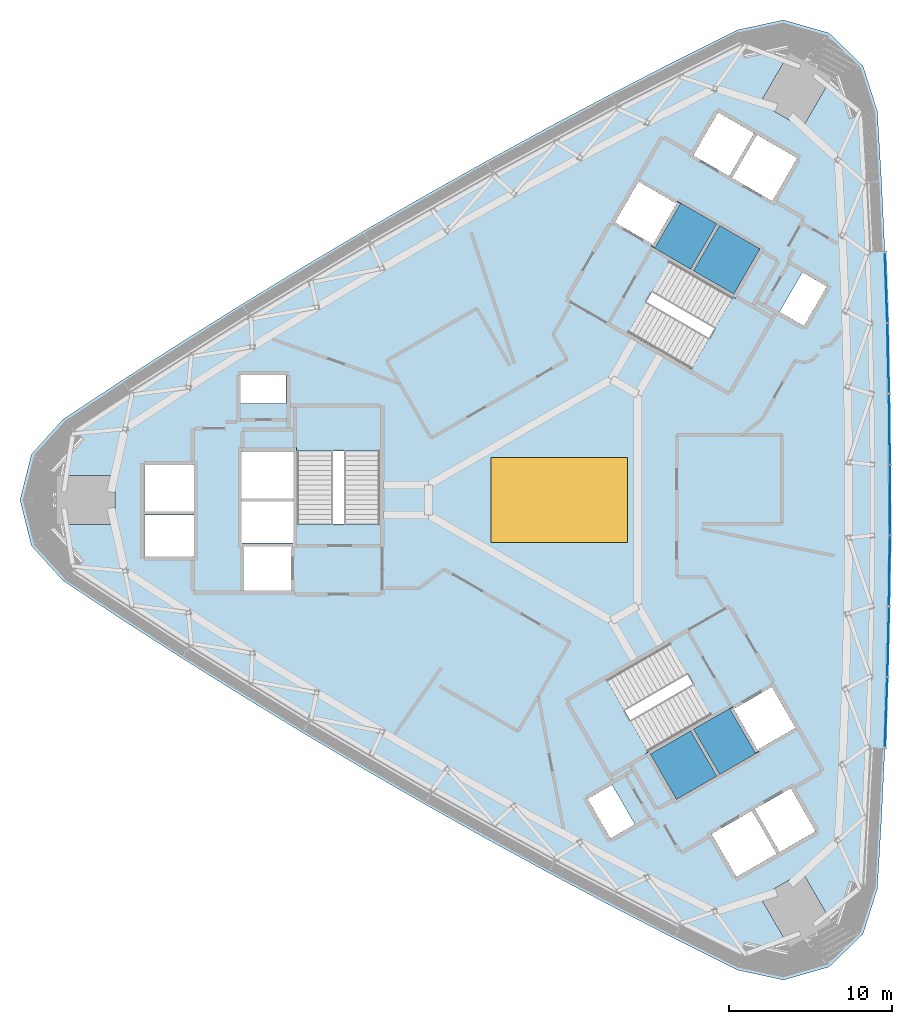
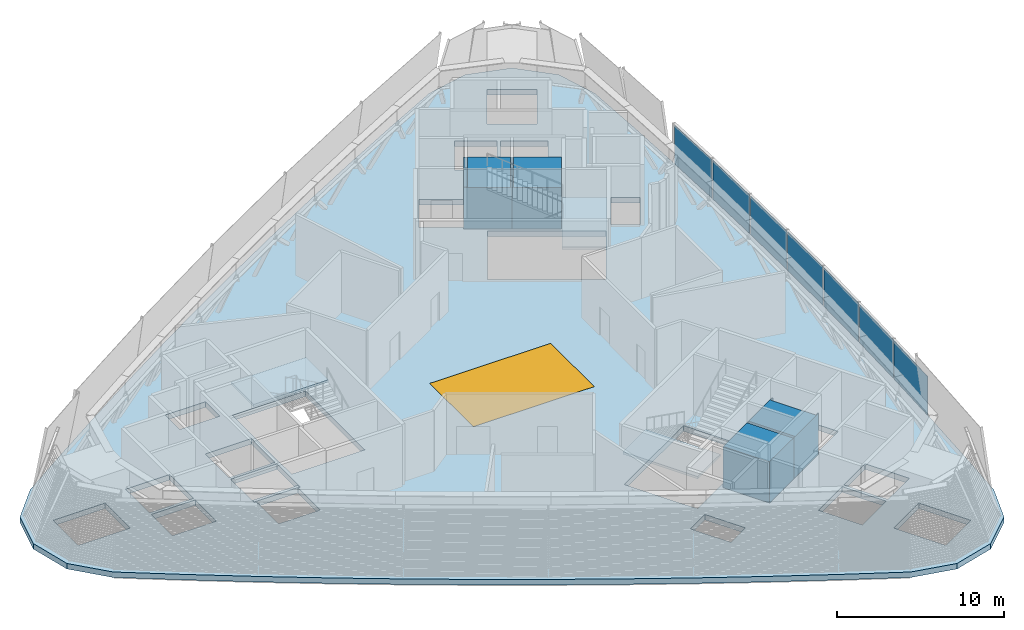
# One storey, part 5 of 18: 8 slabs, 7 plates, 1 window, 1 opening, 4 elements without a shape of their own.
"""IFC4 building model written with IfcOpenShell, lengths in metres."""

import ifcopenshell
import ifcopenshell.guid

model = None  # the IFC model being written
_history = None  # IfcOwnerHistory: only IFC2X3 demands one
_inside = {}  # id of a spatial element -> (the spatial element, [elements in it])
_under = {}  # id of a project, library or spatial element -> (it, [spatial elements below it])
_declared = {}  # id of a project -> (the project, [libraries it declares])
_typed = {}  # id of a type object -> (the type object, [elements of that type])
_made_of = {}  # id of a material, layer set ... -> (it, [elements and type objects made of it])


def new_model(schema):
    """Start an empty IFC model of exactly this schema.

    Asked for "IFC4X3", IfcOpenShell would pick the latest addendum, in which some entities
    have other attributes; the version numbers below select the first issue.
    IFC2X3 requires an IfcOwnerHistory on every rooted entity: one is made here for all.
    """
    global model, _history
    if schema == "IFC4X3":
        model = ifcopenshell.file(schema_version=(4, 3, 0, 0))
    else:
        model = ifcopenshell.file(schema=schema)
    _inside.clear()
    _under.clear()
    _declared.clear()
    _typed.clear()
    _made_of.clear()
    _history = None
    if model.schema == "IFC2X3":
        org = make("IfcOrganization", Name="unknown")
        user = make(
            "IfcPersonAndOrganization",
            ThePerson=make("IfcPerson", FamilyName="unknown"),
            TheOrganization=org,
        )
        app = make(
            "IfcApplication",
            ApplicationDeveloper=org,
            Version="unknown",
            ApplicationFullName="unknown",
            ApplicationIdentifier="unknown",
        )
        _history = make(
            "IfcOwnerHistory",
            OwningUser=user,
            OwningApplication=app,
            ChangeAction="ADDED",
            CreationDate=0,
        )
    return model


def make(cls, **values):
    """One entity of the class cls with the attributes given. An attribute that is None is left unset."""
    return model.create_entity(
        cls, **{name: value for name, value in values.items() if value is not None}
    )


def rooted(cls, **values):
    """An entity with a GlobalId (a new one), such as an element, a storey or a relation."""
    return make(cls, GlobalId=ifcopenshell.guid.new(), OwnerHistory=_history, **values)


def si_unit(unit_type, name, prefix=None):
    """IfcSIUnit, for example si_unit("LENGTHUNIT", "METRE", prefix="MILLI")."""
    return make("IfcSIUnit", UnitType=unit_type, Prefix=prefix, Name=name)


def assignment(units):
    """IfcUnitAssignment: the units of a project."""
    return None if units is None else make("IfcUnitAssignment", Units=units)


def point(xyz):
    """IfcCartesianPoint."""
    return None if xyz is None else make("IfcCartesianPoint", Coordinates=xyz)


def direction(xyz):
    """IfcDirection."""
    return None if xyz is None else make("IfcDirection", DirectionRatios=xyz)


def frame(location, z_axis=None, x_axis=None):
    """IfcAxis2Placement3D, a coordinate frame: its origin and axes. An axis left out is left unset."""
    return make(
        "IfcAxis2Placement3D",
        Location=point(location),
        Axis=direction(z_axis),
        RefDirection=direction(x_axis),
    )


def frame_2d(location, x_axis=None):
    """IfcAxis2Placement2D, a coordinate frame in the plane: its origin and x axis."""
    return make(
        "IfcAxis2Placement2D", Location=point(location), RefDirection=direction(x_axis)
    )


def origin():
    """The frame at (0, 0, 0) with its axes left unset."""
    return frame((0.0, 0.0, 0.0))


def origin_2d():
    """The frame at (0, 0) in the plane with its x axis left unset."""
    return frame_2d((0.0, 0.0))


def place(relative_to, where):
    """IfcLocalPlacement: puts the frame where relative to a parent placement (None: the world)."""
    return make(
        "IfcLocalPlacement", PlacementRelTo=relative_to, RelativePlacement=where
    )


def context(
    kind, dimensions, precision=None, world=None, true_north=None, identifier=None
):
    """IfcGeometricRepresentationContext, for example the 3D "Model" context."""
    return make(
        "IfcGeometricRepresentationContext",
        ContextIdentifier=identifier,
        ContextType=kind,
        CoordinateSpaceDimension=dimensions,
        Precision=precision,
        WorldCoordinateSystem=world,
        TrueNorth=true_north,
    )


def subcontext(parent, identifier, kind, view, scale=None):
    """IfcGeometricRepresentationSubContext, for example "Body" below "Model"."""
    return make(
        "IfcGeometricRepresentationSubContext",
        ContextIdentifier=identifier,
        ContextType=kind,
        ParentContext=parent,
        TargetScale=scale,
        TargetView=view,
    )


def project(units=None, contexts=None):
    """IfcProject with its units and contexts."""
    return rooted(
        "IfcProject",
        Name="project",
        RepresentationContexts=contexts,
        UnitsInContext=assignment(units),
    )


def spatial(cls, under=None, at=None, **own):
    """A site, building, storey or space (cls), placed at a placement, below another one or the project."""
    s = rooted(cls, ObjectPlacement=at, **own)
    if under is not None:
        _under.setdefault(under.id(), (under, []))[1].append(s)
    return s


def polyline(points):
    """IfcPolyline through the points."""
    return make("IfcPolyline", Points=[point(p) for p in points])


def profile(cls, at=None, kind="AREA", **sizes):
    """A parametric profile (cls). Its sizes go by their IFC names, for example OverallWidth=200.0."""
    return make(cls, ProfileType=kind, Position=at, **sizes)


def rectangle(**sizes):
    """IfcRectangleProfileDef."""
    return profile("IfcRectangleProfileDef", **sizes)


def outline(outer, holes=None, kind="AREA"):
    """IfcArbitraryClosedProfileDef: a profile drawn as a closed curve; with holes, ...WithVoids."""
    if holes is None:
        return make("IfcArbitraryClosedProfileDef", ProfileType=kind, OuterCurve=outer)
    return make(
        "IfcArbitraryProfileDefWithVoids",
        ProfileType=kind,
        OuterCurve=outer,
        InnerCurves=holes,
    )


def extrude(swept, where, along, depth):
    """IfcExtrudedAreaSolid: the profile swept, set in the frame where, extruded along a direction by depth."""
    return make(
        "IfcExtrudedAreaSolid",
        SweptArea=swept,
        Position=where,
        ExtrudedDirection=direction(along),
        Depth=depth,
    )


def shape(context_of_items, identifier, shape_type, items):
    """IfcShapeRepresentation: the items that make up one representation, for example the "Body"."""
    return make(
        "IfcShapeRepresentation",
        ContextOfItems=context_of_items,
        RepresentationIdentifier=identifier,
        RepresentationType=shape_type,
        Items=items,
    )


def material(Name=None, Category=None):
    """IfcMaterial."""
    return make("IfcMaterial", Name=Name, Category=Category)


def layer(
    of_material, thickness, ventilated=None, Name=None, Category=None, Priority=None
):
    """IfcMaterialLayer: one layer of a wall or slab, of a material (None: an air gap)."""
    return make(
        "IfcMaterialLayer",
        Material=of_material,
        LayerThickness=thickness,
        IsVentilated=ventilated,
        Name=Name,
        Category=Category,
        Priority=Priority,
    )


def layer_set(layers, Name=None):
    """IfcMaterialLayerSet."""
    return make("IfcMaterialLayerSet", MaterialLayers=layers, LayerSetName=Name)


def made_of(thing, what):
    """Note that an element or type object is made of a material, layer set ...; save() writes the relation."""
    if what is not None:
        _made_of.setdefault(what.id(), (what, []))[1].append(thing)
    return thing


def type_object(cls, material=None, **own):
    """A type object (cls), such as IfcWallType, which elements share."""
    return made_of(rooted(cls, **own), material)


def element(
    cls,
    number,
    at=None,
    inside=None,
    cuts=None,
    type_object=None,
    material=None,
    context=None,
    identifier="Body",
    shape_type=None,
    held_by="IfcProductDefinitionShape",
    body=None,
    shapes=None,
    **own,
):
    """One element of the class cls, such as IfcWall. Its Tag is "e" and its number.

    at: its placement. inside: the storey or other place that contains it. cuts: it is an
    opening in that element (IfcRelVoidsElement). A single representation is given by context,
    identifier, shape_type and body (its items); several are given by shapes. held_by: the class
    of the entity that holds the representations. save() writes the other relations.
    """
    e = rooted(cls, Tag="e%d" % number, ObjectPlacement=at, **own)
    if body is not None:
        shapes = [shape(context, identifier, shape_type, body)]
    if shapes is not None:
        e.Representation = make(held_by, Representations=shapes)
    if inside is not None:
        _inside.setdefault(inside.id(), (inside, []))[1].append(e)
    if cuts is not None:
        rooted(
            "IfcRelVoidsElement", RelatingBuildingElement=cuts, RelatedOpeningElement=e
        )
    if type_object is not None:
        _typed.setdefault(type_object.id(), (type_object, []))[1].append(e)
    return made_of(e, material)


def fill(opening, filler):
    """IfcRelFillsElement: the door or window that sits in an opening."""
    return rooted(
        "IfcRelFillsElement",
        RelatingOpeningElement=opening,
        RelatedBuildingElement=filler,
    )


def aggregate(whole, parts):
    """IfcRelAggregates: a whole, such as a stair, and the parts it consists of."""
    return rooted("IfcRelAggregates", RelatingObject=whole, RelatedObjects=parts)


def save(model, path):
    """Write the relations noted so far, then the file.

    IfcRelAggregates (storeys below a building ...), IfcRelContainedInSpatialStructure (elements
    in a storey), IfcRelDefinesByType, IfcRelAssociatesMaterial and IfcRelDeclares: one each for
    every whole, place, type object, material and project.
    """
    for whole, parts in _under.values():
        aggregate(whole, parts)
    for where, things in _inside.values():
        rooted(
            "IfcRelContainedInSpatialStructure",
            RelatedElements=things,
            RelatingStructure=where,
        )
    for kind, things in _typed.values():
        rooted("IfcRelDefinesByType", RelatedObjects=things, RelatingType=kind)
    for what, things in _made_of.values():
        rooted("IfcRelAssociatesMaterial", RelatedObjects=things, RelatingMaterial=what)
    for by, libraries in _declared.values():
        rooted("IfcRelDeclares", RelatingContext=by, RelatedDefinitions=libraries)
    model.write(path)


model = new_model("IFC4")

# Units and contexts
model_context = context("Model", 3, precision=1e-05, world=origin(), true_north=direction((0.0, 1.0)))
body_context = subcontext(model_context, "Body", "Model", "MODEL_VIEW")
ifc_project = project(units=[si_unit("LENGTHUNIT", "METRE"), si_unit("AREAUNIT", "SQUARE_METRE"), si_unit("VOLUMEUNIT", "CUBIC_METRE"), si_unit("PLANEANGLEUNIT", "RADIAN"), si_unit("MASSUNIT", "GRAM", prefix="KILO")], contexts=[model_context])

# Site, building, storey
site_placement = place(None, origin())
site = spatial("IfcSite", under=ifc_project, at=site_placement, CompositionType="ELEMENT")
building_placement = place(site_placement, origin())
building = spatial("IfcBuilding", under=site, at=building_placement, Name="Tamra Quay Hotel Tower", CompositionType="ELEMENT")
storey_placement = place(building_placement, frame((0.0, 0.0, 164.800048828125)))
storey = spatial("IfcBuildingStorey", under=building, at=storey_placement, Name="L41", CompositionType="ELEMENT", Elevation=164.800048828125)

# Slabs
ifc_material_1 = material(Name="Concrete M70", Category="concrete")
slab_type_1 = type_object("IfcSlabType", Name="Concrete M70 lift pit base", PredefinedType="BASESLAB", material=ifc_material_1)
slab_1_placement = place(storey_placement, origin())
element("IfcSlab", 1, at=slab_1_placement, inside=storey, type_object=slab_type_1, Name="Concrete M70 lift pit base HR1", PredefinedType="BASESLAB", context=body_context, shape_type="SweptSolid", body=[
    extrude(outline(polyline([(8.131591796875, 14.08447265625), (8.218017578125, 14.034423828125), (9.817138671875, 16.80419921875), (9.730712890625, 16.85400390625), (9.731201171875, 16.85498046875), (12.285888671875, 15.3798828125), (10.685791015625, 12.6083984375), (8.131103515625, 14.08349609375), (8.131591796875, 14.08447265625)])), origin(), (0.0, 0.0, 1.0), 3.0),
])
slab_2_placement = place(storey_placement, origin())
element("IfcSlab", 2, at=slab_2_placement, inside=storey, type_object=slab_type_1, Name="Concrete M70 lift pit base HR2", PredefinedType="BASESLAB", context=body_context, shape_type="SweptSolid", body=[
    extrude(outline(polyline([(5.646240234375, 15.575927734375), (5.861083984375, 15.451904296875), (7.4111328125, 18.136474609375), (7.1962890625, 18.260498046875), (7.221435546875, 18.303955078125), (9.731201171875, 16.85498046875), (9.730712890625, 16.85400390625), (9.64404296875, 16.904052734375), (8.044921875, 14.13427734375), (8.131591796875, 14.08447265625), (8.131103515625, 14.08349609375), (5.621337890625, 15.532470703125), (5.646240234375, 15.575927734375)])), origin(), (0.0, 0.0, 1.0), 3.0),
])
slab_3_placement = place(storey_placement, origin())
element("IfcSlab", 3, at=slab_3_placement, inside=storey, type_object=slab_type_1, Name="Concrete M70 lift pit base HR3", PredefinedType="BASESLAB", context=body_context, shape_type="SweptSolid", body=[
    extrude(outline(polyline([(8.131591796875, -14.084228515625), (8.045166015625, -14.13427734375), (9.644287109375, -16.904052734375), (9.730712890625, -16.85400390625), (9.731201171875, -16.85498046875), (7.176513671875, -18.329833984375), (5.576416015625, -15.558349609375), (8.131103515625, -14.08349609375), (8.131591796875, -14.084228515625)])), origin(), (0.0, 0.0, 1.0), 3.0),
])
slab_4_placement = place(storey_placement, origin())
element("IfcSlab", 4, at=slab_4_placement, inside=storey, type_object=slab_type_1, Name="Concrete M70 lift pit base HR4", PredefinedType="BASESLAB", context=body_context, shape_type="SweptSolid", body=[
    extrude(outline(polyline([(10.666015625, -12.677734375), (10.451171875, -12.8017578125), (12.001220703125, -15.486572265625), (12.216064453125, -15.362548828125), (12.240966796875, -15.40576171875), (9.731201171875, -16.85498046875), (9.730712890625, -16.85400390625), (9.8173828125, -16.803955078125), (8.21826171875, -14.0341796875), (8.131591796875, -14.084228515625), (8.131103515625, -14.08349609375), (10.640869140625, -12.634521484375), (10.666015625, -12.677734375)])), origin(), (0.0, 0.0, 1.0), 3.0),
])

# Stair, slab
ifc_material_2 = material(Name="Exit stair 2200 32 risers 150.0 going 299")
stair_type = type_object("IfcStairType", Name="Exit stair 2200 32 risers 150.0 going 299", PredefinedType="HALF_TURN_STAIR", material=ifc_material_2)
stair_1_placement = place(storey_placement, origin())
stair_1 = element("IfcStair", 5, at=stair_1_placement, inside=storey, type_object=stair_type, Name="L41 Exit stair ST3", PredefinedType="HALF_TURN_STAIR")
ifc_layer_1 = layer(ifc_material_1, 0.175048828125)
ifc_layer_set_1 = layer_set([ifc_layer_1], Name="Concrete M70 stair landing 180")
slab_type_2 = type_object("IfcSlabType", Name="Concrete M70 stair landing 180", PredefinedType="LANDING", material=ifc_layer_set_1)
slab_5_placement = place(storey_placement, frame((0.0, 0.0, 2.224853515625)))
slab_5 = element("IfcSlab", 6, at=slab_5_placement, type_object=slab_type_2, Name="ST3 landing 1", PredefinedType="LANDING", context=body_context, shape_type="SweptSolid", body=[
    extrude(outline(polyline([(-10.932373046875, 2.98486328125), (-10.932373046875, 5.679931640625), (-16.09130859375, 5.679931640625), (-16.09130859375, 2.98486328125), (-10.932373046875, 2.98486328125)])), origin(), (0.0, 0.0, 1.0), 0.175048828125),
])
aggregate(stair_1, [slab_5])

stair_2_placement = place(storey_placement, origin())
stair_2 = element("IfcStair", 7, at=stair_2_placement, inside=storey, type_object=stair_type, Name="L41 Exit stair ST1", PredefinedType="HALF_TURN_STAIR")
slab_6_placement = place(storey_placement, frame((0.0, 0.0, 2.224853515625)))
slab_6 = element("IfcSlab", 8, at=slab_6_placement, type_object=slab_type_2, Name="ST1 landing 1", PredefinedType="LANDING", context=body_context, shape_type="SweptSolid", body=[
    extrude(outline(polyline([(8.051025390625, 7.97509765625), (10.385009765625, 6.627685546875), (12.964599609375, 11.095458984375), (10.630615234375, 12.443115234375), (8.051025390625, 7.97509765625)])), origin(), (0.0, 0.0, 1.0), 0.175048828125),
])
aggregate(stair_2, [slab_6])

stair_3_placement = place(storey_placement, origin())
stair_3 = element("IfcStair", 9, at=stair_3_placement, inside=storey, type_object=stair_type, Name="L41 Exit stair ST2", PredefinedType="HALF_TURN_STAIR")
slab_7_placement = place(storey_placement, frame((0.0, 0.0, 2.224853515625)))
slab_7 = element("IfcSlab", 10, at=slab_7_placement, type_object=slab_type_2, Name="ST2 landing 1", PredefinedType="LANDING", context=body_context, shape_type="SweptSolid", body=[
    extrude(outline(polyline([(2.881103515625, -10.960205078125), (0.547119140625, -12.3076171875), (3.126708984375, -16.775390625), (5.460693359375, -15.427978515625), (2.881103515625, -10.960205078125)])), origin(), (0.0, 0.0, 1.0), 0.175048828125),
])
aggregate(stair_3, [slab_7])

# Slab, opening, window
ifc_material_3 = material(Name="Concrete M60", Category="concrete")
ifc_layer_2 = layer(ifc_material_3, 0.39990234375)
ifc_layer_set_2 = layer_set([ifc_layer_2], Name="FLOOR SLAB PT 400")
slab_type_3 = type_object("IfcSlabType", Name="FLOOR SLAB PT 400", PredefinedType="FLOOR", material=ifc_layer_set_2)
slab_8_placement = place(storey_placement, frame((0.0, 0.0, -0.400146484375)))
slab_8 = element("IfcSlab", 11, at=slab_8_placement, inside=storey, type_object=slab_type_3, Name="SLAB-L41", PredefinedType="FLOOR", context=body_context, shape_type="SweptSolid", body=[
    extrude(outline(polyline([(19.727783203125, 19.5), (19.934814453125, 15.169677734375), (20.09033203125, 10.8369140625), (20.19384765625, 6.502685546875), (20.245849609375, 2.167724609375), (20.245849609375, -2.167724609375), (20.19384765625, -6.502685546875), (20.09033203125, -10.8369140625), (19.934814453125, -15.169677734375), (19.727783203125, -19.5), (19.469482421875, -23.827392578125), (18.584716796875, -26.580322265625), (16.507080078125, -28.591064453125), (13.726806640625, -29.385009765625), (10.900634765625, -28.774658203125), (7.0234375, -26.834716796875), (3.169921875, -24.84912109375), (-0.66015625, -22.817138671875), (-4.465576171875, -20.73974609375), (-8.24560546875, -18.6171875), (-12.000244140625, -16.449462890625), (-15.728515625, -14.237060546875), (-19.43017578125, -11.980224609375), (-23.104736328125, -9.67919921875), (-26.75146484375, -7.3349609375), (-30.369873046875, -4.947265625), (-32.311767578125, -2.8046875), (-33.01416015625, 0.0), (-32.311767578125, 2.8046875), (-30.369873046875, 4.947265625), (-26.75146484375, 7.3349609375), (-23.104736328125, 9.67919921875), (-19.43017578125, 11.980224609375), (-15.728515625, 14.237060546875), (-12.000244140625, 16.449462890625), (-8.24560546875, 18.6171875), (-4.465576171875, 20.73974609375), (-0.66015625, 22.817138671875), (3.169921875, 24.84912109375), (7.0234375, 26.834716796875), (10.900634765625, 28.774658203125), (13.726806640625, 29.385009765625), (16.507080078125, 28.591064453125), (18.584716796875, 26.580322265625), (19.469482421875, 23.827392578125), (19.727783203125, 19.5)]), holes=[polyline([(4.631103515625, -19.851318359375), (3.236083984375, -17.43505859375), (1.73779296875, -18.300048828125), (3.1328125, -20.71630859375), (4.631103515625, -19.851318359375)]), polyline([(0.622314453125, -12.32763671875), (3.146728515625, -16.7001953125), (9.2783203125, -13.160400390625), (6.75390625, -8.78759765625), (0.622314453125, -12.32763671875)]), polyline([(-19.4072265625, -2.89306640625), (-19.307373046875, -2.89306640625), (-19.307373046875, -5.544921875), (-16.417236328125, -5.544921875), (-16.417236328125, -2.89306640625), (-16.3173828125, -2.89306640625), (-16.3173828125, -2.85498046875), (-19.4072265625, -2.85498046875), (-19.4072265625, -2.89306640625)]), polyline([(-22.3671875, -0.905029296875), (-25.4072265625, -0.905029296875), (-25.4072265625, -3.445068359375), (-22.3671875, -3.445068359375), (-22.3671875, -0.905029296875)]), polyline([(-19.417236328125, -2.64501953125), (-16.307373046875, -2.64501953125), (-16.307373046875, -2.89306640625), (-16.26708984375, -2.89306640625), (-16.26708984375, -0.10498046875), (-19.45751953125, -0.10498046875), (-19.45751953125, -2.89306640625), (-19.417236328125, -2.89306640625), (-19.417236328125, -2.64501953125)]), polyline([(-30.78662109375, -1.5), (-27.1865234375, -1.5), (-27.1865234375, 1.5), (-30.78662109375, 1.5), (-30.78662109375, -1.5)]), polyline([(-22.3671875, 2.14501953125), (-25.4072265625, 2.14501953125), (-25.4072265625, -0.695068359375), (-22.3671875, -0.695068359375), (-22.3671875, 2.14501953125)]), polyline([(-16.26708984375, 2.945068359375), (-19.45751953125, 2.945068359375), (-19.45751953125, 0.10498046875), (-16.26708984375, 0.10498046875), (-16.26708984375, 2.945068359375)]), polyline([(-10.9873046875, -1.455078125), (-10.9873046875, 5.625), (-16.036376953125, 5.625), (-16.036376953125, -1.455078125), (-10.9873046875, -1.455078125)]), polyline([(-19.50732421875, 7.64501953125), (-19.50732421875, 5.9150390625), (-16.71728515625, 5.9150390625), (-16.71728515625, 7.64501953125), (-19.50732421875, 7.64501953125)]), polyline([(16.6923828125, -25.912109375), (14.892333984375, -22.794189453125), (12.294189453125, -24.294189453125), (14.09423828125, -27.412109375), (16.6923828125, -25.912109375)]), polyline([(9.325927734375, -20.443115234375), (10.845947265625, -23.075927734375), (13.3056640625, -21.65576171875), (11.78564453125, -19.02294921875), (9.325927734375, -20.443115234375)]), polyline([(13.487548828125, -21.55078125), (15.68701171875, -20.281005859375), (14.1669921875, -17.648193359375), (11.96728515625, -18.91796875), (13.487548828125, -21.55078125)]), polyline([(12.176025390625, -15.379638671875), (12.208984375, -15.360595703125), (12.1591796875, -15.274169921875), (14.455810546875, -13.947998046875), (13.0107421875, -11.4453125), (10.714111328125, -12.771240234375), (10.6640625, -12.6845703125), (10.631103515625, -12.70361328125), (12.176025390625, -15.379638671875)]), polyline([(4.2333984375, 10.242919921875), (10.364990234375, 6.702880859375), (12.889404296875, 11.075439453125), (6.758056640625, 14.615478515625), (4.2333984375, 10.242919921875)]), polyline([(14.876220703125, 13.936279296875), (13.481201171875, 11.52001953125), (14.9794921875, 10.655029296875), (16.37451171875, 13.0712890625), (14.876220703125, 13.936279296875)]), polyline([(7.1982421875, 18.253662109375), (7.148193359375, 18.1669921875), (4.8515625, 19.4931640625), (3.406494140625, 16.990234375), (5.703125, 15.664306640625), (5.6533203125, 15.57763671875), (5.68603515625, 15.55859375), (7.231201171875, 18.234619140625), (7.1982421875, 18.253662109375)]), polyline([(13.041259765625, 18.298095703125), (14.561279296875, 20.930908203125), (12.101806640625, 22.350830078125), (10.58154296875, 19.718017578125), (13.041259765625, 18.298095703125)]), polyline([(10.39990234375, 19.822998046875), (11.919921875, 22.455810546875), (9.72021484375, 23.725830078125), (8.2001953125, 21.093017578125), (10.39990234375, 19.822998046875)]), polyline([(16.6923828125, 25.912109375), (14.09423828125, 27.412109375), (12.294189453125, 24.294189453125), (14.892333984375, 22.794189453125), (16.6923828125, 25.912109375)])]), origin(), (0.0, 0.0, 1.0), 0.400146484375),
])
opening_placement = place(slab_8_placement, origin())
opening = element("IfcOpeningElement", 12, at=opening_placement, cuts=slab_8, Name="Opening SK1-8340", PredefinedType="OPENING", context=body_context, shape_type="SweptSolid", body=[
    extrude(rectangle(XDim=8.340087890625, YDim=5.199951171875, at=origin_2d()), origin(), (0.0, 0.0, 1.0), 0.400146484375),
])
ifc_material_4 = material(Name="Fire-rated laminated glass in steel frame", Category="steel")
window_type = type_object("IfcWindowType", Name="ATRIUM SKYLIGHT 8340X5200", PartitioningType="SINGLE_PANEL", PredefinedType="SKYLIGHT", material=ifc_material_4)
window_placement = place(opening_placement, frame((0.0, 0.0, 0.35009765625)))
window = element("IfcWindow", 13, at=window_placement, inside=storey, type_object=window_type, Name="SK1-8340", OverallHeight=5.199951171875, OverallWidth=8.340087890625, PartitioningType="SINGLE_PANEL", PredefinedType="SKYLIGHT", context=body_context, shape_type="SweptSolid", body=[
    extrude(rectangle(XDim=8.340087890625, YDim=5.199951171875, at=origin_2d()), origin(), (0.0, 0.0, 1.0), 0.050048828125),
])
fill(opening, window)

# Curtain wall, plates
ifc_material_5 = material(Name="Aluminium 6063 anodised dark grey", Category="aluminium")
curtain_wall_type = type_object("IfcCurtainWallType", Name="CW1 CURTAIN WALL", PredefinedType="NOTDEFINED", material=ifc_material_5)
curtain_wall_placement = place(storey_placement, origin())
curtain_wall = element("IfcCurtainWall", 14, at=curtain_wall_placement, inside=storey, type_object=curtain_wall_type, Name="CW1 east face L41", PredefinedType="NOTDEFINED")
ifc_material_6 = material(Name="Glass clear laminated low-iron", Category="glass")
ifc_layer_3 = layer(ifc_material_6, 0.031982421875)
ifc_layer_set_3 = layer_set([ifc_layer_3], Name="GLASS PANEL CW1 Z3")
plate_type_1 = type_object("IfcPlateType", Name="GLASS PANEL CW1 Z3", PredefinedType="CURTAIN_PANEL", material=ifc_layer_set_3)
plate_1_placement = place(storey_placement, frame((20.245849609375, 0.0, 0.0), z_axis=(0.0, 0.0, 1.0), x_axis=(0.0, 1.0, 0.0)))
plate_1 = element("IfcPlate", 15, at=plate_1_placement, type_object=plate_type_1, Name="CW1 glass L41.E.4", PredefinedType="CURTAIN_PANEL", context=body_context, shape_type="SweptSolid", body=[
    extrude(rectangle(XDim=4.235595703125, YDim=0.031982421875, at=origin_2d()), origin(), (0.0, 0.0, 1.0), 2.81005859375),
])
ifc_material_7 = material(Name="Terracotta cladding panel on aluminium frame", Category="masonry")
ifc_layer_4 = layer(ifc_material_7, 0.031982421875)
ifc_layer_set_4 = layer_set([ifc_layer_4], Name="SOLID PANEL CW1 Z3")
plate_type_2 = type_object("IfcPlateType", Name="SOLID PANEL CW1 Z3", PredefinedType="CURTAIN_PANEL", material=ifc_layer_set_4)
plate_2_placement = place(storey_placement, frame((20.0126953125, -13.00341796875, 0.0), z_axis=(0.0, 0.0, 1.0), x_axis=(0.035844594052, 0.999357376056, 0.0)))
plate_2 = element("IfcPlate", 16, at=plate_2_placement, type_object=plate_type_2, Name="CW1 solid panel L41.E.1", PredefinedType="CURTAIN_PANEL", context=body_context, shape_type="SweptSolid", body=[
    extrude(rectangle(XDim=4.235595703125, YDim=0.031982421875, at=origin_2d()), origin(), (0.0, 0.0, 1.0), 2.81005859375),
])
plate_3_placement = place(storey_placement, frame((20.14208984375, -8.669677734375, 0.0), z_axis=(0.0, 0.0, 1.0), x_axis=(0.023896417529, 0.999714439842, 0.0)))
plate_3 = element("IfcPlate", 17, at=plate_3_placement, type_object=plate_type_2, Name="CW1 solid panel L41.E.2", PredefinedType="CURTAIN_PANEL", context=body_context, shape_type="SweptSolid", body=[
    extrude(rectangle(XDim=4.235595703125, YDim=0.031982421875, at=origin_2d()), origin(), (0.0, 0.0, 1.0), 2.81005859375),
])
plate_4_placement = place(storey_placement, frame((20.2197265625, -4.335205078125, 0.0), z_axis=(0.0, 0.0, 1.0), x_axis=(0.011957145304, 0.999928510783, 0.0)))
plate_4 = element("IfcPlate", 18, at=plate_4_placement, type_object=plate_type_2, Name="CW1 solid panel L41.E.3", PredefinedType="CURTAIN_PANEL", context=body_context, shape_type="SweptSolid", body=[
    extrude(rectangle(XDim=4.235107421875, YDim=0.031982421875, at=origin_2d()), origin(), (0.0, 0.0, 1.0), 2.81005859375),
])
plate_5_placement = place(storey_placement, frame((20.2197265625, 4.335205078125, 0.0), z_axis=(0.0, 0.0, 1.0), x_axis=(-0.011957145304, 0.999928510783, 0.0)))
plate_5 = element("IfcPlate", 19, at=plate_5_placement, type_object=plate_type_2, Name="CW1 solid panel L41.E.5", PredefinedType="CURTAIN_PANEL", context=body_context, shape_type="SweptSolid", body=[
    extrude(rectangle(XDim=4.235107421875, YDim=0.031982421875, at=origin_2d()), origin(), (0.0, 0.0, 1.0), 2.81005859375),
])
plate_6_placement = place(storey_placement, frame((20.14208984375, 8.669677734375, 0.0), z_axis=(0.0, 0.0, 1.0), x_axis=(-0.023896417529, 0.999714439842, 0.0)))
plate_6 = element("IfcPlate", 20, at=plate_6_placement, type_object=plate_type_2, Name="CW1 solid panel L41.E.6", PredefinedType="CURTAIN_PANEL", context=body_context, shape_type="SweptSolid", body=[
    extrude(rectangle(XDim=4.235595703125, YDim=0.031982421875, at=origin_2d()), origin(), (0.0, 0.0, 1.0), 2.81005859375),
])
plate_7_placement = place(storey_placement, frame((20.0126953125, 13.00341796875, 0.0), z_axis=(0.0, 0.0, 1.0), x_axis=(-0.035844594052, 0.999357376056, 0.0)))
plate_7 = element("IfcPlate", 21, at=plate_7_placement, type_object=plate_type_2, Name="CW1 solid panel L41.E.7", PredefinedType="CURTAIN_PANEL", context=body_context, shape_type="SweptSolid", body=[
    extrude(rectangle(XDim=4.235595703125, YDim=0.031982421875, at=origin_2d()), origin(), (0.0, 0.0, 1.0), 2.81005859375),
])
aggregate(curtain_wall, [plate_2, plate_3, plate_4, plate_1, plate_5, plate_6, plate_7])

save(model, "model.ifc")
